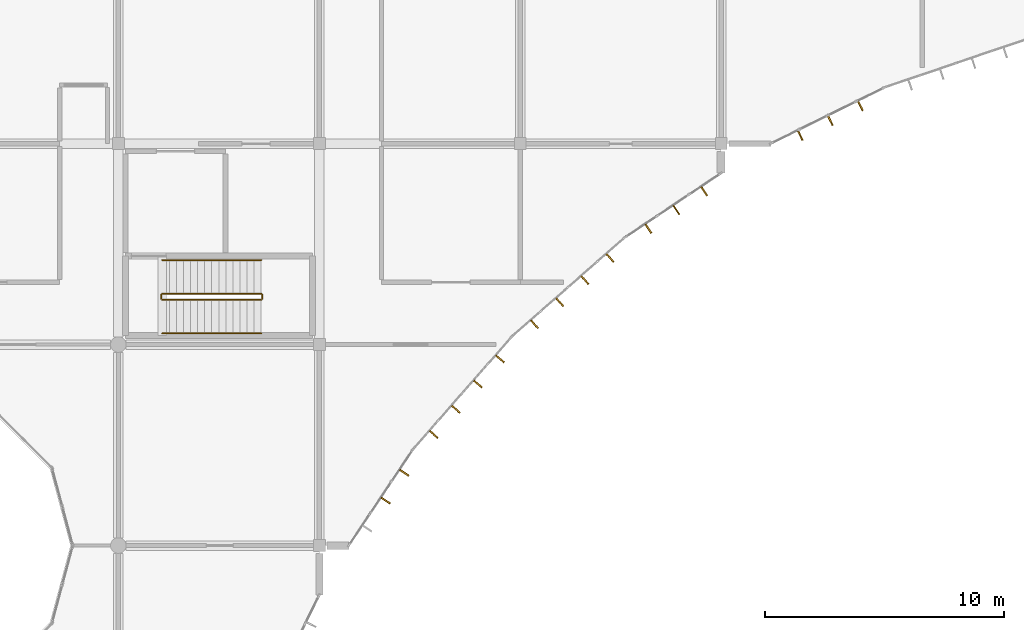
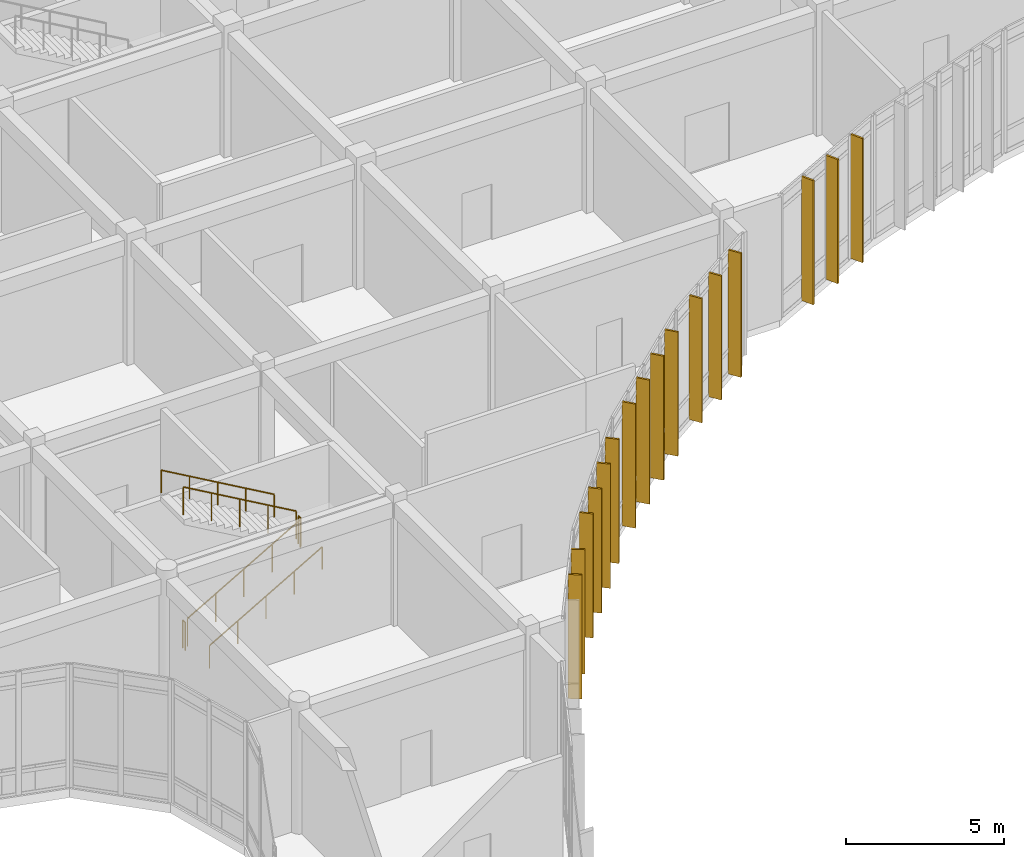
# One storey, part 131 of 134: 16 shading devices, 6 railings.
"""IFC4 building model written with IfcOpenShell, lengths in metres."""

from ifc_helpers import new_model, si_unit, direction, frame, origin, origin_2d, place, context, subcontext, project, spatial, rectangle, circle, extrude, material, material_profile, profile_set, type_object, element, save


model = new_model("IFC4")

# Units and contexts
model_context = context("Model", 3, precision=1e-05, world=origin(), true_north=direction((0.0, 1.0)))
body_context = subcontext(model_context, "Body", "Model", "MODEL_VIEW")
ifc_project = project(units=[si_unit("LENGTHUNIT", "METRE"), si_unit("AREAUNIT", "SQUARE_METRE"), si_unit("VOLUMEUNIT", "CUBIC_METRE"), si_unit("PLANEANGLEUNIT", "RADIAN"), si_unit("MASSUNIT", "GRAM", prefix="KILO")], contexts=[model_context])

# Site, building, storey
site_placement = place(None, origin())
site = spatial("IfcSite", under=ifc_project, at=site_placement, CompositionType="ELEMENT")
building_placement = place(site_placement, origin())
building = spatial("IfcBuilding", under=site, at=building_placement, Name="Bramfleet General Hospital", CompositionType="ELEMENT")
storey_placement = place(building_placement, frame((0.0, 0.0, 9.300048828125)))
storey = spatial("IfcBuildingStorey", under=building, at=storey_placement, Name="L02", CompositionType="ELEMENT", Elevation=9.300048828125)

# Railings
ifc_material_1 = material(Name="Powder-coated steel stair balustrade", Category="steel")
railing_type_1 = type_object("IfcRailingType", Name="RAIL-ST-GUARD", PredefinedType="GUARDRAIL", material=ifc_material_1)
railing_1_placement = place(storey_placement, frame((127.840087890625, 77.469970703125, 0.169921875)))
element("IfcRailing", 1, at=railing_1_placement, inside=storey, type_object=railing_type_1, Name="L02 ST-C12 stair guard 1", PredefinedType="GUARDRAIL", context=body_context, shape_type="SweptSolid", body=[
    extrude(circle(Radius=0.02392578125, at=origin_2d()), frame((0.0, 0.0, 1.076171875), z_axis=(0.866412313535, 0.0, 0.499329253053), x_axis=(0.0, 1.0, 0.0)), (0.0, 0.0, 1.0), 4.7666015625),
    extrude(circle(Radius=0.02099609375, at=origin_2d()), origin(), (0.0, 0.0, 1.0), 1.052001953125),
    extrude(circle(Radius=0.02099609375, at=origin_2d()), frame((1.032470703125, 0.0, 0.594970703125)), (0.0, 0.0, 1.0), 1.052001953125),
    extrude(circle(Radius=0.02099609375, at=origin_2d()), frame((2.06494140625, 0.0, 1.18994140625)), (0.0, 0.0, 1.0), 1.052001953125),
    extrude(circle(Radius=0.02099609375, at=origin_2d()), frame((3.097412109375, 0.0, 1.78515625)), (0.0, 0.0, 1.0), 1.052001953125),
    extrude(circle(Radius=0.02099609375, at=origin_2d()), frame((4.1298828125, 0.0, 2.380126953125)), (0.0, 0.0, 1.0), 1.052001953125),
])
railing_2_placement = place(storey_placement, frame((132.02001953125, 77.52001953125, 2.550048828125)))
element("IfcRailing", 2, at=railing_2_placement, inside=storey, type_object=railing_type_1, Name="L02 ST-C12 stair guard 2", PredefinedType="GUARDRAIL", context=body_context, shape_type="SweptSolid", body=[
    extrude(circle(Radius=0.02392578125, at=origin_2d()), frame((0.0, 0.0, 1.076171875), z_axis=(0.0, 1.0, 0.0), x_axis=(-1.0, 0.0, 0.0)), (0.0, 0.0, 1.0), 0.159912109375),
    extrude(circle(Radius=0.02099609375, at=origin_2d()), origin(), (0.0, 0.0, 1.0), 1.052001953125),
    extrude(circle(Radius=0.02099609375, at=origin_2d()), frame((0.0, 0.159912109375, 0.0)), (0.0, 0.0, 1.0), 1.052001953125),
])
railing_3_placement = place(storey_placement, frame((131.969970703125, 77.72998046875, 2.719970703125)))
element("IfcRailing", 3, at=railing_3_placement, inside=storey, type_object=railing_type_1, Name="L02 ST-C12 stair guard 3", PredefinedType="GUARDRAIL", context=body_context, shape_type="SweptSolid", body=[
    extrude(circle(Radius=0.02392578125, at=origin_2d()), frame((0.0, 0.0, 1.076171875), z_axis=(-0.866434471657, 0.0, 0.499290803364), x_axis=(0.0, -1.0, 0.0)), (0.0, 0.0, 1.0), 4.7666015625),
    extrude(circle(Radius=0.02099609375, at=origin_2d()), origin(), (0.0, 0.0, 1.0), 1.052001953125),
    extrude(circle(Radius=0.02099609375, at=origin_2d()), frame((-1.032470703125, 0.0, 0.594970703125)), (0.0, 0.0, 1.0), 1.052001953125),
    extrude(circle(Radius=0.02099609375, at=origin_2d()), frame((-2.06494140625, 0.0, 1.18994140625)), (0.0, 0.0, 1.0), 1.052001953125),
    extrude(circle(Radius=0.02099609375, at=origin_2d()), frame((-3.097412109375, 0.0, 1.784912109375)), (0.0, 0.0, 1.0), 1.052001953125),
    extrude(circle(Radius=0.02099609375, at=origin_2d()), frame((-4.1298828125, 0.0, 2.3798828125)), (0.0, 0.0, 1.0), 1.052001953125),
])
railing_4_placement = place(storey_placement, frame((127.7900390625, 77.52001953125, 0.0)))
element("IfcRailing", 4, at=railing_4_placement, inside=storey, type_object=railing_type_1, Name="L02 ST-C12 stair guard 4", PredefinedType="GUARDRAIL", context=body_context, shape_type="SweptSolid", body=[
    extrude(circle(Radius=0.02392578125, at=origin_2d()), frame((0.0, 0.0, 1.076171875), z_axis=(0.0, 1.0, 0.0), x_axis=(-1.0, 0.0, 0.0)), (0.0, 0.0, 1.0), 0.159912109375),
    extrude(circle(Radius=0.02099609375, at=origin_2d()), origin(), (0.0, 0.0, 1.0), 1.052001953125),
    extrude(circle(Radius=0.02099609375, at=origin_2d()), frame((0.0, 0.159912109375, 0.0)), (0.0, 0.0, 1.0), 1.052001953125),
])
ifc_material_2 = material(Name="Stainless steel 1.4301 stair handrail", Category="steel")
railing_type_2 = type_object("IfcRailingType", Name="RAIL-ST-HND", PredefinedType="HANDRAIL", material=ifc_material_2)
railing_5_placement = place(storey_placement, frame((127.840087890625, 76.070068359375, 0.169921875)))
element("IfcRailing", 5, at=railing_5_placement, inside=storey, type_object=railing_type_2, Name="L02 ST-C12 stair handrail 1", PredefinedType="HANDRAIL", context=body_context, shape_type="SweptSolid", body=[
    extrude(circle(Radius=0.02392578125, at=origin_2d()), frame((0.0, 0.0, 0.8759765625), z_axis=(0.866412313535, 0.0, 0.499329253053), x_axis=(0.0, 1.0, 0.0)), (0.0, 0.0, 1.0), 4.7666015625),
    extrude(circle(Radius=0.02099609375, at=origin_2d()), origin(), (0.0, 0.0, 1.0), 0.851806640625),
    extrude(circle(Radius=0.02099609375, at=origin_2d()), frame((1.032470703125, 0.0, 0.594970703125)), (0.0, 0.0, 1.0), 0.851806640625),
    extrude(circle(Radius=0.02099609375, at=origin_2d()), frame((2.06494140625, 0.0, 1.18994140625)), (0.0, 0.0, 1.0), 0.851806640625),
    extrude(circle(Radius=0.02099609375, at=origin_2d()), frame((3.097412109375, 0.0, 1.78515625)), (0.0, 0.0, 1.0), 0.851806640625),
    extrude(circle(Radius=0.02099609375, at=origin_2d()), frame((4.1298828125, 0.0, 2.380126953125)), (0.0, 0.0, 1.0), 0.851806640625),
])
railing_6_placement = place(storey_placement, frame((131.969970703125, 79.1298828125, 2.719970703125)))
element("IfcRailing", 6, at=railing_6_placement, inside=storey, type_object=railing_type_2, Name="L02 ST-C12 stair handrail 2", PredefinedType="HANDRAIL", context=body_context, shape_type="SweptSolid", body=[
    extrude(circle(Radius=0.02392578125, at=origin_2d()), frame((0.0, 0.0, 0.8759765625), z_axis=(-0.866434471657, 0.0, 0.499290803364), x_axis=(0.0, -1.0, 0.0)), (0.0, 0.0, 1.0), 4.7666015625),
    extrude(circle(Radius=0.02099609375, at=origin_2d()), origin(), (0.0, 0.0, 1.0), 0.851806640625),
    extrude(circle(Radius=0.02099609375, at=origin_2d()), frame((-1.032470703125, 0.0, 0.594970703125)), (0.0, 0.0, 1.0), 0.851806640625),
    extrude(circle(Radius=0.02099609375, at=origin_2d()), frame((-2.06494140625, 0.0, 1.18994140625)), (0.0, 0.0, 1.0), 0.851806640625),
    extrude(circle(Radius=0.02099609375, at=origin_2d()), frame((-3.097412109375, 0.0, 1.784912109375)), (0.0, 0.0, 1.0), 0.851806640625),
    extrude(circle(Radius=0.02099609375, at=origin_2d()), frame((-4.1298828125, 0.0, 2.3798828125)), (0.0, 0.0, 1.0), 0.851806640625),
])

# Shading devices
ifc_material_3 = material(Name="Treated European larch timber", Category="wood")
ifc_material_profile = material_profile(ifc_material_3, rectangle(XDim=0.06494140625, YDim=0.449951171875, at=origin_2d()), Name="LARCH FIN 450x65")
ifc_profile_set = profile_set([ifc_material_profile], Name="Treated European larch timber")
shading_device_type = type_object("IfcShadingDeviceType", Name="SHD-FIN-450", PredefinedType="USERDEFINED", material=ifc_profile_set)
for number, where, z_axis, x_axis, name in (
    (7, (157.014404296875, 85.576904296875, -0.02001953125), (0.0, 0.0, 1.0), (-0.896864723513, -0.442304948782, 0.0), "L02 Larch Timber Shading Fin 409"),
    (8, (155.7587890625, 84.957763671875, -0.02001953125), (0.0, 0.0, 1.0), (-0.896864723513, -0.442304948782, 0.0), "L02 Larch Timber Shading Fin 410"),
    (9, (154.5029296875, 84.33837890625, -0.02001953125), (0.0, 0.0, 1.0), (-0.896864723513, -0.442304948782, 0.0), "L02 Larch Timber Shading Fin 411"),
    (10, (150.487060546875, 82.002197265625, -0.02001953125), (0.0, 0.0, 1.0), (-0.831540898988, -0.555463530135, 0.0), "L02 Larch Timber Shading Fin 412"),
    (11, (149.32275390625, 81.224365234375, -0.02001953125), (0.0, 0.0, 1.0), (-0.831540898988, -0.555463530135, 0.0), "L02 Larch Timber Shading Fin 413"),
    (12, (148.15869140625, 80.44677734375, -0.02001953125), (0.0, 0.0, 1.0), (-0.831540898988, -0.555463530135, 0.0), "L02 Larch Timber Shading Fin 414"),
    (13, (146.555908203125, 79.21533203125, -0.02001953125), (0.0, 0.0, 1.0), (-0.75178681735, -0.659406233864, 0.0), "L02 Larch Timber Shading Fin 415"),
    (14, (145.50341796875, 78.292236328125, -0.02001953125), (0.0, 0.0, 1.0), (-0.75178681735, -0.659406233864, 0.0), "L02 Larch Timber Shading Fin 416"),
    (15, (144.450927734375, 77.368896484375, -0.02001953125), (0.0, 0.0, 1.0), (-0.75178681735, -0.659406233864, 0.0), "L02 Larch Timber Shading Fin 417"),
    (16, (143.3984375, 76.44580078125, -0.02001953125), (0.0, 0.0, 1.0), (-0.75178681735, -0.659406233864, 0.0), "L02 Larch Timber Shading Fin 418"),
    (17, (141.9541015625, 75.00146484375, -0.02001953125), (0.0, 0.0, 1.0), (-0.659406233864, -0.75178681735, 0.0), "L02 Larch Timber Shading Fin 419"),
    (18, (141.031005859375, 73.948974609375, -0.02001953125), (0.0, 0.0, 1.0), (-0.659406233864, -0.75178681735, 0.0), "L02 Larch Timber Shading Fin 420"),
    (19, (140.10791015625, 72.896484375, -0.02001953125), (0.0, 0.0, 1.0), (-0.659406233864, -0.75178681735, 0.0), "L02 Larch Timber Shading Fin 421"),
    (20, (139.184814453125, 71.843994140625, -0.02001953125), (0.0, 0.0, 1.0), (-0.659406233864, -0.75178681735, 0.0), "L02 Larch Timber Shading Fin 422"),
    (21, (137.953125, 70.2412109375, -0.02001953125), (0.0, 0.0, 1.0), (-0.555463530135, -0.831540898988, 0.0), "L02 Larch Timber Shading Fin 423"),
    (22, (137.175537109375, 69.0771484375, -0.02001953125), (0.0, 0.0, 1.0), (-0.555463530135, -0.831540898988, 0.0), "L02 Larch Timber Shading Fin 424"),
):
    element("IfcShadingDevice", number, at=place(storey_placement, frame(where, z_axis=z_axis, x_axis=x_axis)), inside=storey, type_object=shading_device_type, Name=name, ObjectType="Fin", PredefinedType="USERDEFINED", context=body_context, shape_type="SweptSolid", body=[
        extrude(rectangle(XDim=0.06494140625, YDim=0.449951171875, at=origin_2d()), origin(), (0.0, 0.0, 1.0), 4.800048828125),
    ])

save(model, "model.ifc")
